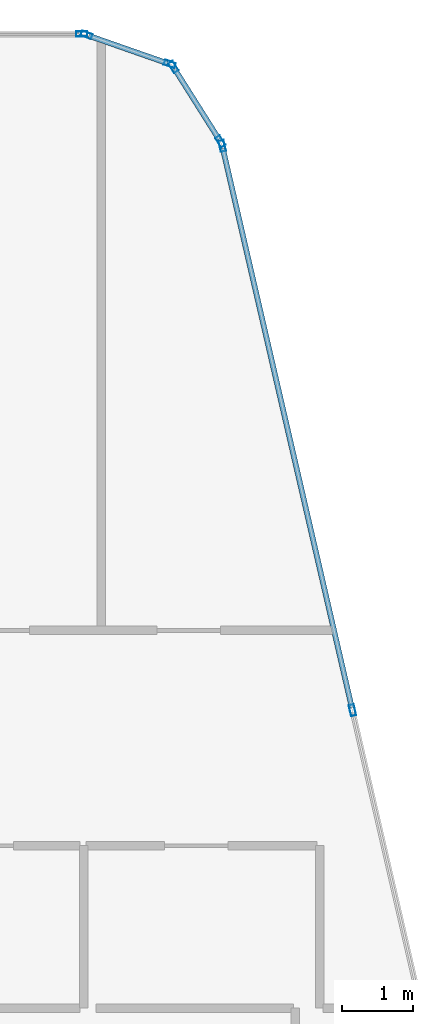
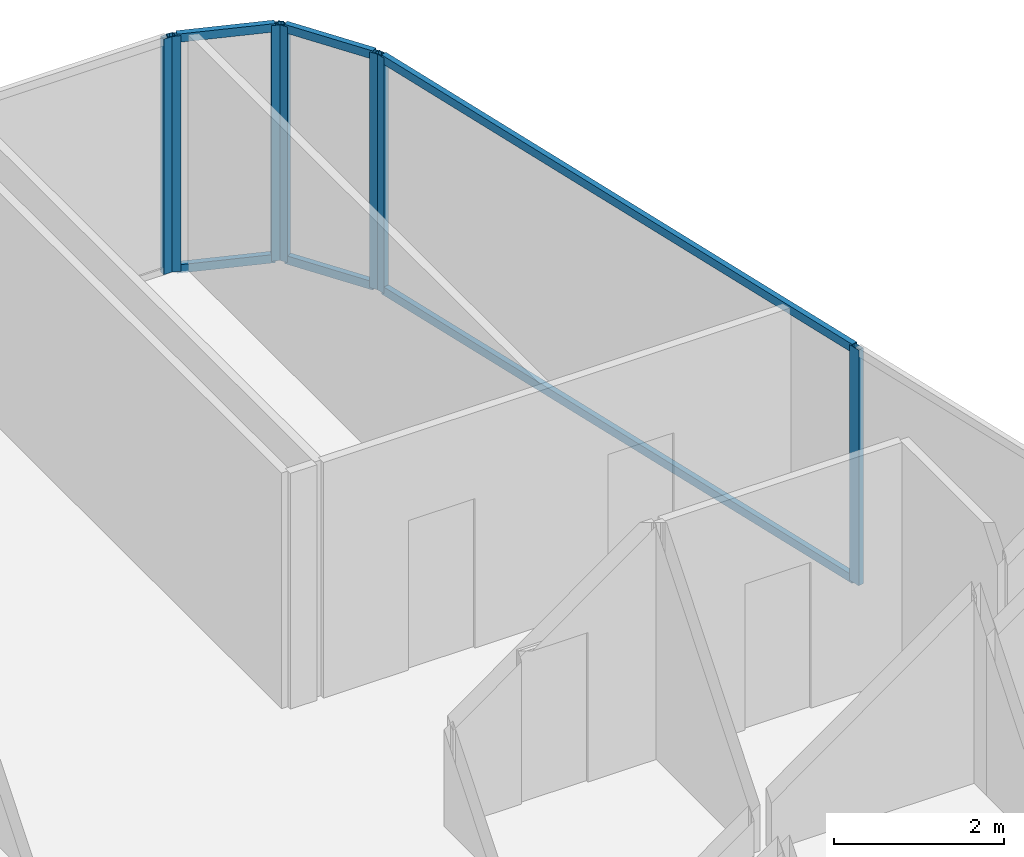
# One storey, part 19 of 27: 13 members, 4 elements without a shape of their own.
"""IFC4 building model written with IfcOpenShell, lengths in metres."""

from ifc_helpers import new_model, si_unit, direction, frame, origin, origin_2d, place, context, subcontext, project, spatial, hollow_rectangle, extrude, material, layer, layer_set, material_profile, profile_set, type_object, element, aggregate, save


model = new_model("IFC4")

# Units and contexts
model_context = context("Model", 3, precision=1e-05, world=origin(), true_north=direction((0.0, 1.0)))
body_context = subcontext(model_context, "Body", "Model", "MODEL_VIEW")
ifc_project = project(units=[si_unit("LENGTHUNIT", "METRE"), si_unit("AREAUNIT", "SQUARE_METRE"), si_unit("VOLUMEUNIT", "CUBIC_METRE"), si_unit("PLANEANGLEUNIT", "RADIAN"), si_unit("MASSUNIT", "GRAM", prefix="KILO")], contexts=[model_context])

# Site, building, storey
site_placement = place(None, origin())
site = spatial("IfcSite", under=ifc_project, at=site_placement, CompositionType="ELEMENT")
building_placement = place(site_placement, origin())
building = spatial("IfcBuilding", under=site, at=building_placement, Name="Keshet Zoharim Tower", CompositionType="ELEMENT")
storey_placement = place(building_placement, frame((0.0, 0.0, 262.10009765625)))
storey = spatial("IfcBuildingStorey", under=building, at=storey_placement, Name="L65", CompositionType="ELEMENT", Elevation=262.10009765625)

# Curtain wall, member
ifc_material = material(Name="Aluminium 6063-T6", Category="aluminium")
ifc_layer = layer(ifc_material, 0.260009765625)
ifc_layer_set = layer_set([ifc_layer], Name="Aluminium 6063-T6")
curtain_wall_type = type_object("IfcCurtainWallType", Name="CW-SYS-06", PredefinedType="NOTDEFINED", material=ifc_layer_set)
curtain_wall_1_placement = place(storey_placement, origin())
curtain_wall_1 = element("IfcCurtainWall", 1, at=curtain_wall_1_placement, inside=storey, type_object=curtain_wall_type, Name="L65 Unitised Curtain Wall 06 Part 5", PredefinedType="NOTDEFINED")
ifc_material_profile_1 = material_profile(ifc_material, hollow_rectangle(XDim=0.074951171875, YDim=0.159912109375, WallThickness=0.00390625, at=origin_2d()), Name="MUL-75x160")
ifc_profile_set_1 = profile_set([ifc_material_profile_1], Name="Aluminium 6063-T6")
member_type_1 = type_object("IfcMemberType", Name="CWM-M15", PredefinedType="MULLION", material=ifc_profile_set_1)
member_1_placement = place(storey_placement, frame((37.3740234375, 53.89990234375, 0.0), z_axis=(0.0, 0.0, 1.0), x_axis=(0.0, 1.0, 0.0)))
member_1 = element("IfcMember", 2, at=member_1_placement, type_object=member_type_1, Name="CW-06 mullion 2", PredefinedType="MULLION", context=body_context, shape_type="SweptSolid", body=[
    extrude(hollow_rectangle(XDim=0.074951171875, YDim=0.159912109375, WallThickness=0.00390625, at=origin_2d()), origin(), (0.0, 0.0, 1.0), 3.389892578125),
])
aggregate(curtain_wall_1, [member_1])

# Curtain wall, members
curtain_wall_2_placement = place(storey_placement, origin())
curtain_wall_2 = element("IfcCurtainWall", 3, at=curtain_wall_2_placement, inside=storey, type_object=curtain_wall_type, Name="L65 Unitised Curtain Wall 07", PredefinedType="NOTDEFINED")
member_2_placement = place(storey_placement, frame((37.442138671875, 53.888427734375, 0.0), z_axis=(0.0, 0.0, 1.0), x_axis=(0.329843743636, 0.944035542119, 0.0)))
member_2 = element("IfcMember", 4, at=member_2_placement, type_object=member_type_1, Name="CW-06 mullion 1", PredefinedType="MULLION", context=body_context, shape_type="SweptSolid", body=[
    extrude(hollow_rectangle(XDim=0.074951171875, YDim=0.159912109375, WallThickness=0.00390625, at=origin_2d()), origin(), (0.0, 0.0, 1.0), 3.389892578125),
])
member_3_placement = place(storey_placement, frame((38.620849609375, 53.4765625, 0.0), z_axis=(0.0, 0.0, 1.0), x_axis=(0.329843743636, 0.944035542119, 0.0)))
member_3 = element("IfcMember", 5, at=member_3_placement, type_object=member_type_1, Name="CW-06 mullion 2", PredefinedType="MULLION", context=body_context, shape_type="SweptSolid", body=[
    extrude(hollow_rectangle(XDim=0.074951171875, YDim=0.159912109375, WallThickness=0.00390625, at=origin_2d()), origin(), (0.0, 0.0, 1.0), 3.389892578125),
])

curtain_wall_3_placement = place(storey_placement, origin())
curtain_wall_3 = element("IfcCurtainWall", 6, at=curtain_wall_3_placement, inside=storey, type_object=curtain_wall_type, Name="L65 Unitised Curtain Wall 08", PredefinedType="NOTDEFINED")
member_4_placement = place(storey_placement, frame((38.672607421875, 53.435302734375, 0.0), z_axis=(0.0, 0.0, 1.0), x_axis=(0.845560976183, 0.533878858502, 0.0)))
member_4 = element("IfcMember", 7, at=member_4_placement, type_object=member_type_1, Name="CW-06 mullion 1", PredefinedType="MULLION", context=body_context, shape_type="SweptSolid", body=[
    extrude(hollow_rectangle(XDim=0.074951171875, YDim=0.159912109375, WallThickness=0.00390625, at=origin_2d()), origin(), (0.0, 0.0, 1.0), 3.389892578125),
])
member_5_placement = place(storey_placement, frame((39.33935546875, 52.379638671875, 0.0), z_axis=(0.0, 0.0, 1.0), x_axis=(0.845560976183, 0.533878858502, 0.0)))
member_5 = element("IfcMember", 8, at=member_5_placement, type_object=member_type_1, Name="CW-06 mullion 2", PredefinedType="MULLION", context=body_context, shape_type="SweptSolid", body=[
    extrude(hollow_rectangle(XDim=0.074951171875, YDim=0.159912109375, WallThickness=0.00390625, at=origin_2d()), origin(), (0.0, 0.0, 1.0), 3.389892578125),
])

curtain_wall_4_placement = place(storey_placement, origin())
curtain_wall_4 = element("IfcCurtainWall", 9, at=curtain_wall_4_placement, inside=storey, type_object=curtain_wall_type, Name="L65 Unitised Curtain Wall 09", PredefinedType="NOTDEFINED")
member_6_placement = place(storey_placement, frame((39.365966796875, 52.31591796875, 0.0), z_axis=(0.0, 0.0, 1.0), x_axis=(0.974398012932, 0.224829963294, 0.0)))
member_6 = element("IfcMember", 10, at=member_6_placement, type_object=member_type_1, Name="CW-06 mullion 1", PredefinedType="MULLION", context=body_context, shape_type="SweptSolid", body=[
    extrude(hollow_rectangle(XDim=0.074951171875, YDim=0.159912109375, WallThickness=0.00390625, at=origin_2d()), origin(), (0.0, 0.0, 1.0), 3.389892578125),
])
member_7_placement = place(storey_placement, frame((41.210693359375, 44.320556640625, 0.0), z_axis=(0.0, 0.0, 1.0), x_axis=(0.974398012932, 0.224829963294, 0.0)))
member_7 = element("IfcMember", 11, at=member_7_placement, type_object=member_type_1, Name="CW-06 mullion 2", PredefinedType="MULLION", context=body_context, shape_type="SweptSolid", body=[
    extrude(hollow_rectangle(XDim=0.074951171875, YDim=0.159912109375, WallThickness=0.00390625, at=origin_2d()), origin(), (0.0, 0.0, 1.0), 3.389892578125),
])

# Member
ifc_material_profile_2 = material_profile(ifc_material, hollow_rectangle(XDim=0.074951171875, YDim=0.1201171875, WallThickness=0.00390625, at=origin_2d()), Name="TRN-75x120")
ifc_profile_set_2 = profile_set([ifc_material_profile_2], Name="Aluminium 6063-T6")
member_type_2 = type_object("IfcMemberType", Name="CWT-T12", PredefinedType="USERDEFINED", material=ifc_profile_set_2)
member_8_placement = place(storey_placement, frame((37.47509765625, 53.876953125, 0.034912109375), z_axis=(0.944006789648, -0.329926023675, 0.0), x_axis=(0.329926023675, 0.944006789648, 0.0)))
member_8 = element("IfcMember", 12, at=member_8_placement, type_object=member_type_2, Name="CW-06 transom 1.1", ObjectType="TRANSOM", PredefinedType="USERDEFINED", context=body_context, shape_type="SweptSolid", body=[
    extrude(hollow_rectangle(XDim=0.074951171875, YDim=0.1201171875, WallThickness=0.00390625, at=origin_2d()), origin(), (0.0, 0.0, 1.0), 1.1787109375),
])

member_9_placement = place(storey_placement, frame((37.47509765625, 53.876953125, 3.35498046875), z_axis=(0.944006789648, -0.329926023675, 0.0), x_axis=(0.329926023675, 0.944006789648, 0.0)))
member_9 = element("IfcMember", 13, at=member_9_placement, type_object=member_type_2, Name="CW-06 transom 1.2", ObjectType="TRANSOM", PredefinedType="USERDEFINED", context=body_context, shape_type="SweptSolid", body=[
    extrude(hollow_rectangle(XDim=0.074951171875, YDim=0.1201171875, WallThickness=0.00390625, at=origin_2d()), origin(), (0.0, 0.0, 1.0), 1.1787109375),
])

aggregate(curtain_wall_2, [member_2, member_3, member_8, member_9])

member_10_placement = place(storey_placement, frame((38.69140625, 53.40576171875, 0.034912109375), z_axis=(0.53382931122, -0.845592257819, 0.0), x_axis=(0.845592257819, 0.53382931122, 0.0)))
member_10 = element("IfcMember", 14, at=member_10_placement, type_object=member_type_2, Name="CW-06 transom 1.1", ObjectType="TRANSOM", PredefinedType="USERDEFINED", context=body_context, shape_type="SweptSolid", body=[
    extrude(hollow_rectangle(XDim=0.074951171875, YDim=0.1201171875, WallThickness=0.00390625, at=origin_2d()), origin(), (0.0, 0.0, 1.0), 1.178466796875),
])

member_11_placement = place(storey_placement, frame((38.69140625, 53.40576171875, 3.35498046875), z_axis=(0.53382931122, -0.845592257819, 0.0), x_axis=(0.845592257819, 0.53382931122, 0.0)))
member_11 = element("IfcMember", 15, at=member_11_placement, type_object=member_type_2, Name="CW-06 transom 1.2", ObjectType="TRANSOM", PredefinedType="USERDEFINED", context=body_context, shape_type="SweptSolid", body=[
    extrude(hollow_rectangle(XDim=0.074951171875, YDim=0.1201171875, WallThickness=0.00390625, at=origin_2d()), origin(), (0.0, 0.0, 1.0), 1.178466796875),
])

aggregate(curtain_wall_3, [member_4, member_5, member_10, member_11])

member_12_placement = place(storey_placement, frame((39.373779296875, 52.28173828125, 0.034912109375), z_axis=(0.224835397421, -0.97439675906, 0.0), x_axis=(0.97439675906, 0.224835397421, 0.0)))
member_12 = element("IfcMember", 16, at=member_12_placement, type_object=member_type_2, Name="CW-06 transom 1.1", ObjectType="TRANSOM", PredefinedType="USERDEFINED", context=body_context, shape_type="SweptSolid", body=[
    extrude(hollow_rectangle(XDim=0.074951171875, YDim=0.1201171875, WallThickness=0.00390625, at=origin_2d()), origin(), (0.0, 0.0, 1.0), 8.13525390625),
])

member_13_placement = place(storey_placement, frame((39.373779296875, 52.28173828125, 3.35498046875), z_axis=(0.224835397421, -0.97439675906, 0.0), x_axis=(0.97439675906, 0.224835397421, 0.0)))
member_13 = element("IfcMember", 17, at=member_13_placement, type_object=member_type_2, Name="CW-06 transom 1.2", ObjectType="TRANSOM", PredefinedType="USERDEFINED", context=body_context, shape_type="SweptSolid", body=[
    extrude(hollow_rectangle(XDim=0.074951171875, YDim=0.1201171875, WallThickness=0.00390625, at=origin_2d()), origin(), (0.0, 0.0, 1.0), 8.13525390625),
])

aggregate(curtain_wall_4, [member_6, member_7, member_12, member_13])

save(model, "model.ifc")
